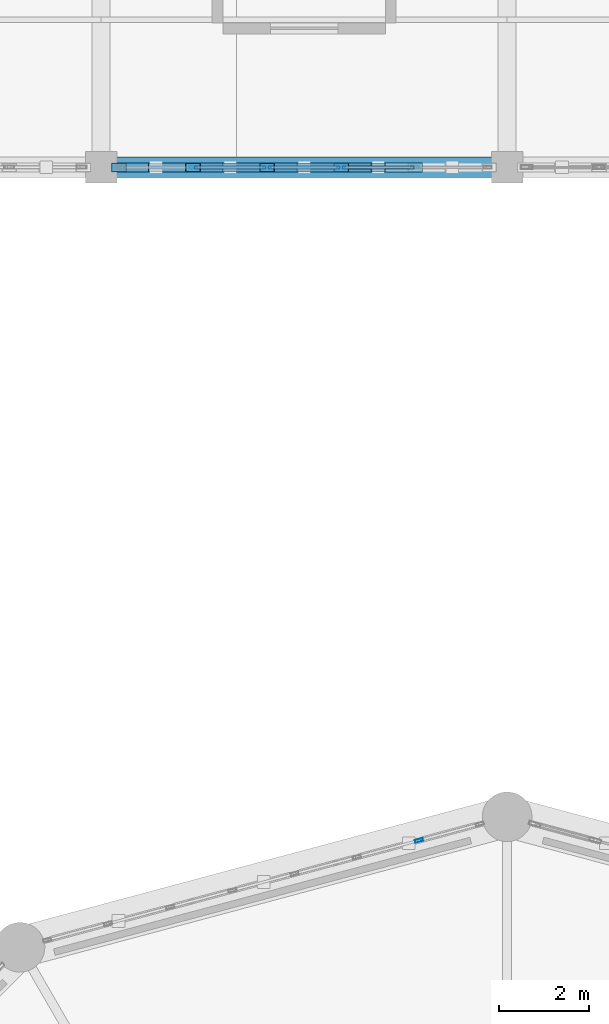
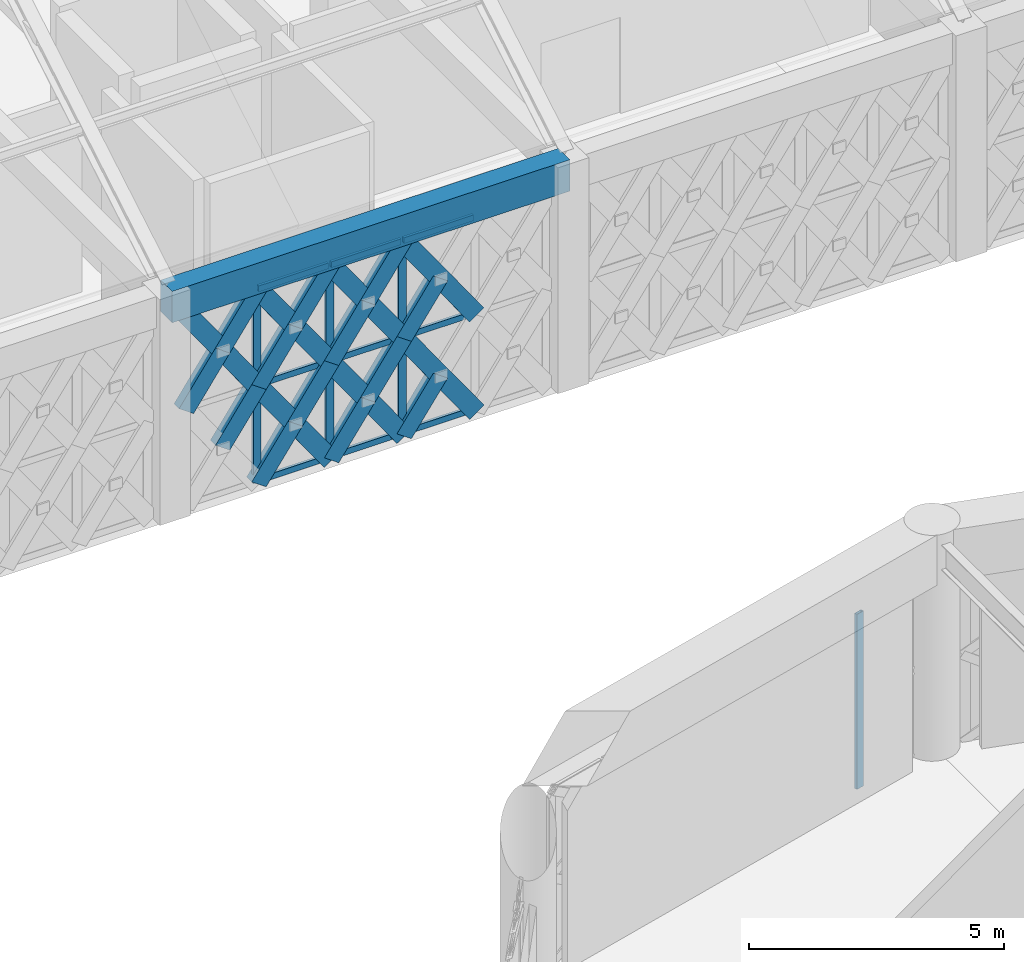
# One storey, part 40 of 72: 33 members, 1 beam, 2 elements without a shape of their own.
"""IFC4 building model written with IfcOpenShell, lengths in metres."""

from ifc_helpers import new_model, si_unit, direction, frame, origin, origin_2d, place, context, subcontext, project, spatial, rectangle, hollow_rectangle, extrude, material, material_profile, profile_set, type_object, element, aggregate, save


model = new_model("IFC4")

# Units and contexts
model_context = context("Model", 3, precision=1e-05, world=origin(), true_north=direction((0.0, 1.0)))
body_context = subcontext(model_context, "Body", "Model", "MODEL_VIEW")
ifc_project = project(units=[si_unit("LENGTHUNIT", "METRE"), si_unit("AREAUNIT", "SQUARE_METRE"), si_unit("VOLUMEUNIT", "CUBIC_METRE"), si_unit("PLANEANGLEUNIT", "RADIAN"), si_unit("MASSUNIT", "GRAM", prefix="KILO")], contexts=[model_context])

# Site, building, storey
site_placement = place(None, origin())
site = spatial("IfcSite", under=ifc_project, at=site_placement, CompositionType="ELEMENT")
building_placement = place(site_placement, origin())
building = spatial("IfcBuilding", under=site, at=building_placement, Name="Haizhuo Lancet Aquarium", CompositionType="ELEMENT")
storey_placement = place(building_placement, frame((0.0, 0.0, 21.60009765625)))
storey = spatial("IfcBuildingStorey", under=building, at=storey_placement, Name="L04", CompositionType="ELEMENT", Elevation=21.60009765625)

# Beam
ifc_material_1 = material(Name="Concrete C40/50", Category="concrete")
ifc_material_profile_1 = material_profile(ifc_material_1, rectangle(XDim=0.449951171875, YDim=0.75, at=origin_2d()), Name="RC-BM 450x750")
ifc_profile_set_1 = profile_set([ifc_material_profile_1], Name="Concrete C40/50")
beam_type = type_object("IfcBeamType", Name="BM-RC-450x750", PredefinedType="BEAM", material=ifc_profile_set_1)
beam_placement = place(storey_placement, frame((-9.0, 36.0, 5.02490234375), z_axis=(1.0, 0.0, 0.0), x_axis=(0.0, 1.0, 0.0)))
element("IfcBeam", 1, at=beam_placement, inside=storey, type_object=beam_type, Name="L04 V5 primary girder BM-L04-V5-009", PredefinedType="BEAM", context=body_context, shape_type="SweptSolid", body=[
    extrude(rectangle(XDim=0.449951171875, YDim=0.75, at=origin_2d()), origin(), (0.0, 0.0, 1.0), 9.0),
])

# Curtain wall, member
ifc_material_2 = material(Name="Aluminium 6063-T6", Category="aluminium")
curtain_wall_type_1 = type_object("IfcCurtainWallType", Name="CWO-9990x4180", PredefinedType="NOTDEFINED", material=ifc_material_2)
curtain_wall_1_placement = place(storey_placement, origin())
curtain_wall_1 = element("IfcCurtainWall", 2, at=curtain_wall_1_placement, inside=storey, type_object=curtain_wall_type_1, Name="L04 curtain wall CW-V1-L04-04", PredefinedType="NOTDEFINED")
ifc_material_profile_2 = material_profile(ifc_material_2, hollow_rectangle(XDim=0.06494140625, YDim=0.179931640625, WallThickness=0.00390625, at=origin_2d()), Name="ALU-M 65x180x4")
ifc_profile_set_2 = profile_set([ifc_material_profile_2], Name="Aluminium 6063-T6")
member_type_1 = type_object("IfcMemberType", Name="CW-MUL-1", PredefinedType="MULLION", material=ifc_profile_set_2)
member_1_placement = place(storey_placement, frame((-1.9541015625, 21.076904296875, 0.0), z_axis=(0.0, 0.0, 1.0), x_axis=(-0.258852762117, 0.965916791212, 0.0)))
member_1 = element("IfcMember", 3, at=member_1_placement, type_object=member_type_1, Name="CWO-99x41 mullion 7", PredefinedType="MULLION", context=body_context, shape_type="SweptSolid", body=[
    extrude(hollow_rectangle(XDim=0.06494140625, YDim=0.179931640625, WallThickness=0.00390625, at=origin_2d()), origin(), (0.0, 0.0, 1.0), 4.184814453125),
])
aggregate(curtain_wall_1, [member_1])

# Curtain wall, members
curtain_wall_type_2 = type_object("IfcCurtainWallType", Name="CWD-8210x4650", PredefinedType="NOTDEFINED", material=ifc_material_2)
curtain_wall_2_placement = place(storey_placement, origin())
curtain_wall_2 = element("IfcCurtainWall", 4, at=curtain_wall_2_placement, inside=storey, type_object=curtain_wall_type_2, Name="L04 curtain wall CW-V5-L04-187", PredefinedType="NOTDEFINED")
member_2_placement = place(storey_placement, frame((-3.678955078125, 36.0, 0.0), z_axis=(0.0, 0.0, 1.0), x_axis=(0.0, -1.0, 0.0)))
member_2 = element("IfcMember", 5, at=member_2_placement, type_object=member_type_1, Name="CWD-82x46 mullion 3", PredefinedType="MULLION", context=body_context, shape_type="SweptSolid", body=[
    extrude(hollow_rectangle(XDim=0.06494140625, YDim=0.179931640625, WallThickness=0.00390625, at=origin_2d()), origin(), (0.0, 0.0, 1.0), 4.64990234375),
])
member_3_placement = place(storey_placement, frame((-5.321044921875, 36.0, 0.0), z_axis=(0.0, 0.0, 1.0), x_axis=(0.0, -1.0, 0.0)))
member_3 = element("IfcMember", 6, at=member_3_placement, type_object=member_type_1, Name="CWD-82x46 mullion 4", PredefinedType="MULLION", context=body_context, shape_type="SweptSolid", body=[
    extrude(hollow_rectangle(XDim=0.06494140625, YDim=0.179931640625, WallThickness=0.00390625, at=origin_2d()), origin(), (0.0, 0.0, 1.0), 4.64990234375),
])
member_4_placement = place(storey_placement, frame((-6.962890625, 36.0, 0.0), z_axis=(0.0, 0.0, 1.0), x_axis=(0.0, -1.0, 0.0)))
member_4 = element("IfcMember", 7, at=member_4_placement, type_object=member_type_1, Name="CWD-82x46 mullion 5", PredefinedType="MULLION", context=body_context, shape_type="SweptSolid", body=[
    extrude(hollow_rectangle(XDim=0.06494140625, YDim=0.179931640625, WallThickness=0.00390625, at=origin_2d()), origin(), (0.0, 0.0, 1.0), 4.64990234375),
])
ifc_material_profile_3 = material_profile(ifc_material_2, hollow_rectangle(XDim=0.06494140625, YDim=0.139892578125, WallThickness=0.00390625, at=origin_2d()), Name="ALU-T 65x140x4")
ifc_profile_set_3 = profile_set([ifc_material_profile_3], Name="Aluminium 6063-T6")
member_type_2 = type_object("IfcMemberType", Name="CW-TRN-1", PredefinedType="NOTDEFINED", material=ifc_profile_set_3)
member_5_placement = place(storey_placement, frame((-2.070068359375, 36.0, 0.032958984375), z_axis=(-1.0, 0.0, 0.0), x_axis=(0.0, -1.0, 0.0)))
member_5 = element("IfcMember", 8, at=member_5_placement, type_object=member_type_2, Name="CWD-82x46 transom 2.1", ObjectType="TRANSOM", PredefinedType="USERDEFINED", context=body_context, shape_type="SweptSolid", body=[
    extrude(hollow_rectangle(XDim=0.06494140625, YDim=0.139892578125, WallThickness=0.00390625, at=origin_2d()), origin(), (0.0, 0.0, 1.0), 1.576904296875),
])
member_6_placement = place(storey_placement, frame((-2.070068359375, 36.0, 2.324951171875), z_axis=(-1.0, 0.0, 0.0), x_axis=(0.0, -1.0, 0.0)))
member_6 = element("IfcMember", 9, at=member_6_placement, type_object=member_type_2, Name="CWD-82x46 transom 2.2", ObjectType="TRANSOM", PredefinedType="USERDEFINED", context=body_context, shape_type="SweptSolid", body=[
    extrude(hollow_rectangle(XDim=0.06494140625, YDim=0.139892578125, WallThickness=0.00390625, at=origin_2d()), origin(), (0.0, 0.0, 1.0), 1.576904296875),
])
member_7_placement = place(storey_placement, frame((-2.070068359375, 36.0, 4.617919921875), z_axis=(-1.0, 0.0, 0.0), x_axis=(0.0, -1.0, 0.0)))
member_7 = element("IfcMember", 10, at=member_7_placement, type_object=member_type_2, Name="CWD-82x46 transom 2.3", ObjectType="TRANSOM", PredefinedType="USERDEFINED", context=body_context, shape_type="SweptSolid", body=[
    extrude(hollow_rectangle(XDim=0.06494140625, YDim=0.139892578125, WallThickness=0.00390625, at=origin_2d()), origin(), (0.0, 0.0, 1.0), 1.576904296875),
])
member_8_placement = place(storey_placement, frame((-3.7119140625, 36.0, 0.032958984375), z_axis=(-1.0, 0.0, 0.0), x_axis=(0.0, -1.0, 0.0)))
member_8 = element("IfcMember", 11, at=member_8_placement, type_object=member_type_2, Name="CWD-82x46 transom 3.1", ObjectType="TRANSOM", PredefinedType="USERDEFINED", context=body_context, shape_type="SweptSolid", body=[
    extrude(hollow_rectangle(XDim=0.06494140625, YDim=0.139892578125, WallThickness=0.00390625, at=origin_2d()), origin(), (0.0, 0.0, 1.0), 1.5771484375),
])
member_9_placement = place(storey_placement, frame((-3.7119140625, 36.0, 2.324951171875), z_axis=(-1.0, 0.0, 0.0), x_axis=(0.0, -1.0, 0.0)))
member_9 = element("IfcMember", 12, at=member_9_placement, type_object=member_type_2, Name="CWD-82x46 transom 3.2", ObjectType="TRANSOM", PredefinedType="USERDEFINED", context=body_context, shape_type="SweptSolid", body=[
    extrude(hollow_rectangle(XDim=0.06494140625, YDim=0.139892578125, WallThickness=0.00390625, at=origin_2d()), origin(), (0.0, 0.0, 1.0), 1.5771484375),
])
member_10_placement = place(storey_placement, frame((-3.7119140625, 36.0, 4.617919921875), z_axis=(-1.0, 0.0, 0.0), x_axis=(0.0, -1.0, 0.0)))
member_10 = element("IfcMember", 13, at=member_10_placement, type_object=member_type_2, Name="CWD-82x46 transom 3.3", ObjectType="TRANSOM", PredefinedType="USERDEFINED", context=body_context, shape_type="SweptSolid", body=[
    extrude(hollow_rectangle(XDim=0.06494140625, YDim=0.139892578125, WallThickness=0.00390625, at=origin_2d()), origin(), (0.0, 0.0, 1.0), 1.5771484375),
])
member_11_placement = place(storey_placement, frame((-5.35400390625, 36.0, 0.032958984375), z_axis=(-1.0, 0.0, 0.0), x_axis=(0.0, -1.0, 0.0)))
member_11 = element("IfcMember", 14, at=member_11_placement, type_object=member_type_2, Name="CWD-82x46 transom 4.1", ObjectType="TRANSOM", PredefinedType="USERDEFINED", context=body_context, shape_type="SweptSolid", body=[
    extrude(hollow_rectangle(XDim=0.06494140625, YDim=0.139892578125, WallThickness=0.00390625, at=origin_2d()), origin(), (0.0, 0.0, 1.0), 1.576904296875),
])
member_12_placement = place(storey_placement, frame((-5.35400390625, 36.0, 2.324951171875), z_axis=(-1.0, 0.0, 0.0), x_axis=(0.0, -1.0, 0.0)))
member_12 = element("IfcMember", 15, at=member_12_placement, type_object=member_type_2, Name="CWD-82x46 transom 4.2", ObjectType="TRANSOM", PredefinedType="USERDEFINED", context=body_context, shape_type="SweptSolid", body=[
    extrude(hollow_rectangle(XDim=0.06494140625, YDim=0.139892578125, WallThickness=0.00390625, at=origin_2d()), origin(), (0.0, 0.0, 1.0), 1.576904296875),
])
member_13_placement = place(storey_placement, frame((-5.35400390625, 36.0, 4.617919921875), z_axis=(-1.0, 0.0, 0.0), x_axis=(0.0, -1.0, 0.0)))
member_13 = element("IfcMember", 16, at=member_13_placement, type_object=member_type_2, Name="CWD-82x46 transom 4.3", ObjectType="TRANSOM", PredefinedType="USERDEFINED", context=body_context, shape_type="SweptSolid", body=[
    extrude(hollow_rectangle(XDim=0.06494140625, YDim=0.139892578125, WallThickness=0.00390625, at=origin_2d()), origin(), (0.0, 0.0, 1.0), 1.576904296875),
])
aggregate(curtain_wall_2, [member_2, member_3, member_4, member_5, member_6, member_7, member_8, member_9, member_10, member_11, member_12, member_13])

# Members
ifc_material_3 = material(Name="Steel S355", Category="steel")
ifc_material_profile_4 = material_profile(ifc_material_3, hollow_rectangle(XDim=0.199951171875, YDim=0.39990234375, WallThickness=0.011962890625, at=origin_2d()), Name="RHS 200x400x12")
ifc_profile_set_4 = profile_set([ifc_material_profile_4], Name="Steel S355")
member_type_3 = type_object("IfcMemberType", Name="MEM-LB-RHS200x400", PredefinedType="BRACE", material=ifc_profile_set_4)
member_14_placement = place(storey_placement, frame((-2.037109375, 36.0, 0.0), z_axis=(-0.57684820195, 0.0, 0.816851364635), x_axis=(0.0, -1.0, 0.0)))
element("IfcMember", 17, at=member_14_placement, inside=storey, type_object=member_type_3, Name="Gothic lancet continuous diagonal brace CW-V5-L04-187 3A", PredefinedType="BRACE", context=body_context, shape_type="SweptSolid", body=[
    extrude(hollow_rectangle(XDim=0.199951171875, YDim=0.39990234375, WallThickness=0.011962890625, at=origin_2d()), origin(), (0.0, 0.0, 1.0), 2.84619140625),
])
member_15_placement = place(storey_placement, frame((-3.678955078125, 36.0, 0.0), z_axis=(0.576784197237, 0.0, 0.816896560048), x_axis=(0.0, 1.0, 0.0)))
element("IfcMember", 18, at=member_15_placement, inside=storey, type_object=member_type_3, Name="Gothic lancet split diagonal brace CW-V5-L04-187 3B1", PredefinedType="BRACE", context=body_context, shape_type="SweptSolid", body=[
    extrude(hollow_rectangle(XDim=0.199951171875, YDim=0.39990234375, WallThickness=0.011962890625, at=origin_2d()), origin(), (0.0, 0.0, 1.0), 1.423583984375),
])
member_16_placement = place(storey_placement, frame((-2.037109375, 36.0, 2.324951171875), z_axis=(-0.57684820195, 0.0, 0.816851364635), x_axis=(0.0, -1.0, 0.0)))
element("IfcMember", 19, at=member_16_placement, inside=storey, type_object=member_type_3, Name="Gothic lancet continuous diagonal brace CW-V5-L04-187 4A", PredefinedType="BRACE", context=body_context, shape_type="SweptSolid", body=[
    extrude(hollow_rectangle(XDim=0.199951171875, YDim=0.39990234375, WallThickness=0.011962890625, at=origin_2d()), origin(), (0.0, 0.0, 1.0), 2.84619140625),
])
member_17_placement = place(storey_placement, frame((-3.678955078125, 36.0, 2.324951171875), z_axis=(0.577107574598, 0.0, 0.816668137827), x_axis=(0.0, 1.0, 0.0)))
element("IfcMember", 20, at=member_17_placement, inside=storey, type_object=member_type_3, Name="Gothic lancet split diagonal brace CW-V5-L04-187 4B1", PredefinedType="BRACE", context=body_context, shape_type="SweptSolid", body=[
    extrude(hollow_rectangle(XDim=0.199951171875, YDim=0.39990234375, WallThickness=0.011962890625, at=origin_2d()), origin(), (0.0, 0.0, 1.0), 1.422607421875),
])
member_18_placement = place(storey_placement, frame((-3.678955078125, 36.0, 0.0), z_axis=(-0.576905431865, 0.0, 0.816810946722), x_axis=(0.0, -1.0, 0.0)))
element("IfcMember", 21, at=member_18_placement, inside=storey, type_object=member_type_3, Name="Gothic lancet continuous diagonal brace CW-V5-L04-187 5A", PredefinedType="BRACE", context=body_context, shape_type="SweptSolid", body=[
    extrude(hollow_rectangle(XDim=0.199951171875, YDim=0.39990234375, WallThickness=0.011962890625, at=origin_2d()), origin(), (0.0, 0.0, 1.0), 2.846435546875),
])
member_19_placement = place(storey_placement, frame((-5.321044921875, 36.0, 0.0), z_axis=(0.576784197237, 0.0, 0.816896560048), x_axis=(0.0, 1.0, 0.0)))
element("IfcMember", 22, at=member_19_placement, inside=storey, type_object=member_type_3, Name="Gothic lancet split diagonal brace CW-V5-L04-187 5B1", PredefinedType="BRACE", context=body_context, shape_type="SweptSolid", body=[
    extrude(hollow_rectangle(XDim=0.199951171875, YDim=0.39990234375, WallThickness=0.011962890625, at=origin_2d()), origin(), (0.0, 0.0, 1.0), 1.423583984375),
])
member_20_placement = place(storey_placement, frame((-4.5, 36.0, 1.162841796875), z_axis=(0.57702670475, 0.0, 0.816725279396), x_axis=(0.0, 1.0, 0.0)))
element("IfcMember", 23, at=member_20_placement, inside=storey, type_object=member_type_3, Name="Gothic lancet split diagonal brace CW-V5-L04-187 5B2", PredefinedType="BRACE", context=body_context, shape_type="SweptSolid", body=[
    extrude(hollow_rectangle(XDim=0.199951171875, YDim=0.39990234375, WallThickness=0.011962890625, at=origin_2d()), origin(), (0.0, 0.0, 1.0), 1.4228515625),
])
member_21_placement = place(storey_placement, frame((-3.678955078125, 36.0, 2.324951171875), z_axis=(-0.576905431865, 0.0, 0.816810946722), x_axis=(0.0, -1.0, 0.0)))
element("IfcMember", 24, at=member_21_placement, inside=storey, type_object=member_type_3, Name="Gothic lancet continuous diagonal brace CW-V5-L04-187 6A", PredefinedType="BRACE", context=body_context, shape_type="SweptSolid", body=[
    extrude(hollow_rectangle(XDim=0.199951171875, YDim=0.39990234375, WallThickness=0.011962890625, at=origin_2d()), origin(), (0.0, 0.0, 1.0), 2.846435546875),
])
member_22_placement = place(storey_placement, frame((-5.321044921875, 36.0, 2.324951171875), z_axis=(0.577107574598, 0.0, 0.816668137827), x_axis=(0.0, 1.0, 0.0)))
element("IfcMember", 25, at=member_22_placement, inside=storey, type_object=member_type_3, Name="Gothic lancet split diagonal brace CW-V5-L04-187 6B1", PredefinedType="BRACE", context=body_context, shape_type="SweptSolid", body=[
    extrude(hollow_rectangle(XDim=0.199951171875, YDim=0.39990234375, WallThickness=0.011962890625, at=origin_2d()), origin(), (0.0, 0.0, 1.0), 1.422607421875),
])
member_23_placement = place(storey_placement, frame((-4.5, 36.0, 3.48681640625), z_axis=(0.576703395402, 0.0, 0.816953605618), x_axis=(0.0, 1.0, 0.0)))
element("IfcMember", 26, at=member_23_placement, inside=storey, type_object=member_type_3, Name="Gothic lancet split diagonal brace CW-V5-L04-187 6B2", PredefinedType="BRACE", context=body_context, shape_type="SweptSolid", body=[
    extrude(hollow_rectangle(XDim=0.199951171875, YDim=0.39990234375, WallThickness=0.011962890625, at=origin_2d()), origin(), (0.0, 0.0, 1.0), 1.423583984375),
])
member_24_placement = place(storey_placement, frame((-5.321044921875, 36.0, 0.0), z_axis=(-0.57684820195, 0.0, 0.816851364635), x_axis=(0.0, -1.0, 0.0)))
element("IfcMember", 27, at=member_24_placement, inside=storey, type_object=member_type_3, Name="Gothic lancet continuous diagonal brace CW-V5-L04-187 7A", PredefinedType="BRACE", context=body_context, shape_type="SweptSolid", body=[
    extrude(hollow_rectangle(XDim=0.199951171875, YDim=0.39990234375, WallThickness=0.011962890625, at=origin_2d()), origin(), (0.0, 0.0, 1.0), 2.84619140625),
])
member_25_placement = place(storey_placement, frame((-6.962890625, 36.0, 0.0), z_axis=(0.576669728982, 0.0, 0.816977370357), x_axis=(0.0, 1.0, 0.0)))
element("IfcMember", 28, at=member_25_placement, inside=storey, type_object=member_type_3, Name="Gothic lancet split diagonal brace CW-V5-L04-187 7B1", PredefinedType="BRACE", context=body_context, shape_type="SweptSolid", body=[
    extrude(hollow_rectangle(XDim=0.199951171875, YDim=0.39990234375, WallThickness=0.011962890625, at=origin_2d()), origin(), (0.0, 0.0, 1.0), 1.42333984375),
])
member_26_placement = place(storey_placement, frame((-6.14208984375, 36.0, 1.162841796875), z_axis=(0.57702670475, 0.0, 0.816725279396), x_axis=(0.0, 1.0, 0.0)))
element("IfcMember", 29, at=member_26_placement, inside=storey, type_object=member_type_3, Name="Gothic lancet split diagonal brace CW-V5-L04-187 7B2", PredefinedType="BRACE", context=body_context, shape_type="SweptSolid", body=[
    extrude(hollow_rectangle(XDim=0.199951171875, YDim=0.39990234375, WallThickness=0.011962890625, at=origin_2d()), origin(), (0.0, 0.0, 1.0), 1.4228515625),
])
member_27_placement = place(storey_placement, frame((-5.321044921875, 36.0, 2.324951171875), z_axis=(-0.57684820195, 0.0, 0.816851364635), x_axis=(0.0, -1.0, 0.0)))
element("IfcMember", 30, at=member_27_placement, inside=storey, type_object=member_type_3, Name="Gothic lancet continuous diagonal brace CW-V5-L04-187 8A", PredefinedType="BRACE", context=body_context, shape_type="SweptSolid", body=[
    extrude(hollow_rectangle(XDim=0.199951171875, YDim=0.39990234375, WallThickness=0.011962890625, at=origin_2d()), origin(), (0.0, 0.0, 1.0), 2.84619140625),
])
member_28_placement = place(storey_placement, frame((-6.962890625, 36.0, 2.324951171875), z_axis=(0.576993106189, 0.0, 0.816749016167), x_axis=(0.0, 1.0, 0.0)))
element("IfcMember", 31, at=member_28_placement, inside=storey, type_object=member_type_3, Name="Gothic lancet split diagonal brace CW-V5-L04-187 8B1", PredefinedType="BRACE", context=body_context, shape_type="SweptSolid", body=[
    extrude(hollow_rectangle(XDim=0.199951171875, YDim=0.39990234375, WallThickness=0.011962890625, at=origin_2d()), origin(), (0.0, 0.0, 1.0), 1.422607421875),
])
member_29_placement = place(storey_placement, frame((-6.14208984375, 36.0, 3.48681640625), z_axis=(0.576703395402, 0.0, 0.816953605618), x_axis=(0.0, 1.0, 0.0)))
element("IfcMember", 32, at=member_29_placement, inside=storey, type_object=member_type_3, Name="Gothic lancet split diagonal brace CW-V5-L04-187 8B2", PredefinedType="BRACE", context=body_context, shape_type="SweptSolid", body=[
    extrude(hollow_rectangle(XDim=0.199951171875, YDim=0.39990234375, WallThickness=0.011962890625, at=origin_2d()), origin(), (0.0, 0.0, 1.0), 1.423583984375),
])
member_30_placement = place(storey_placement, frame((-7.783935546875, 36.0, 1.162841796875), z_axis=(0.57702670475, 0.0, 0.816725279396), x_axis=(0.0, 1.0, 0.0)))
element("IfcMember", 33, at=member_30_placement, inside=storey, type_object=member_type_3, Name="Gothic lancet split diagonal brace CW-V5-L04-187 9B2", PredefinedType="BRACE", context=body_context, shape_type="SweptSolid", body=[
    extrude(hollow_rectangle(XDim=0.199951171875, YDim=0.39990234375, WallThickness=0.011962890625, at=origin_2d()), origin(), (0.0, 0.0, 1.0), 1.4228515625),
])
member_31_placement = place(storey_placement, frame((-6.962890625, 36.0, 2.324951171875), z_axis=(-0.576905431865, 0.0, 0.816810946722), x_axis=(0.0, -1.0, 0.0)))
element("IfcMember", 34, at=member_31_placement, inside=storey, type_object=member_type_3, Name="Gothic lancet continuous diagonal brace CW-V5-L04-187 10A", PredefinedType="BRACE", context=body_context, shape_type="SweptSolid", body=[
    extrude(hollow_rectangle(XDim=0.199951171875, YDim=0.39990234375, WallThickness=0.011962890625, at=origin_2d()), origin(), (0.0, 0.0, 1.0), 2.846435546875),
])
member_32_placement = place(storey_placement, frame((-8.60498046875, 36.0, 2.324951171875), z_axis=(0.577107574598, 0.0, 0.816668137827), x_axis=(0.0, 1.0, 0.0)))
element("IfcMember", 35, at=member_32_placement, inside=storey, type_object=member_type_3, Name="Gothic lancet split diagonal brace CW-V5-L04-187 10B1", PredefinedType="BRACE", context=body_context, shape_type="SweptSolid", body=[
    extrude(hollow_rectangle(XDim=0.199951171875, YDim=0.39990234375, WallThickness=0.011962890625, at=origin_2d()), origin(), (0.0, 0.0, 1.0), 1.422607421875),
])
member_33_placement = place(storey_placement, frame((-7.783935546875, 36.0, 3.48681640625), z_axis=(0.576703395402, 0.0, 0.816953605618), x_axis=(0.0, 1.0, 0.0)))
element("IfcMember", 36, at=member_33_placement, inside=storey, type_object=member_type_3, Name="Gothic lancet split diagonal brace CW-V5-L04-187 10B2", PredefinedType="BRACE", context=body_context, shape_type="SweptSolid", body=[
    extrude(hollow_rectangle(XDim=0.199951171875, YDim=0.39990234375, WallThickness=0.011962890625, at=origin_2d()), origin(), (0.0, 0.0, 1.0), 1.423583984375),
])

save(model, "model.ifc")
